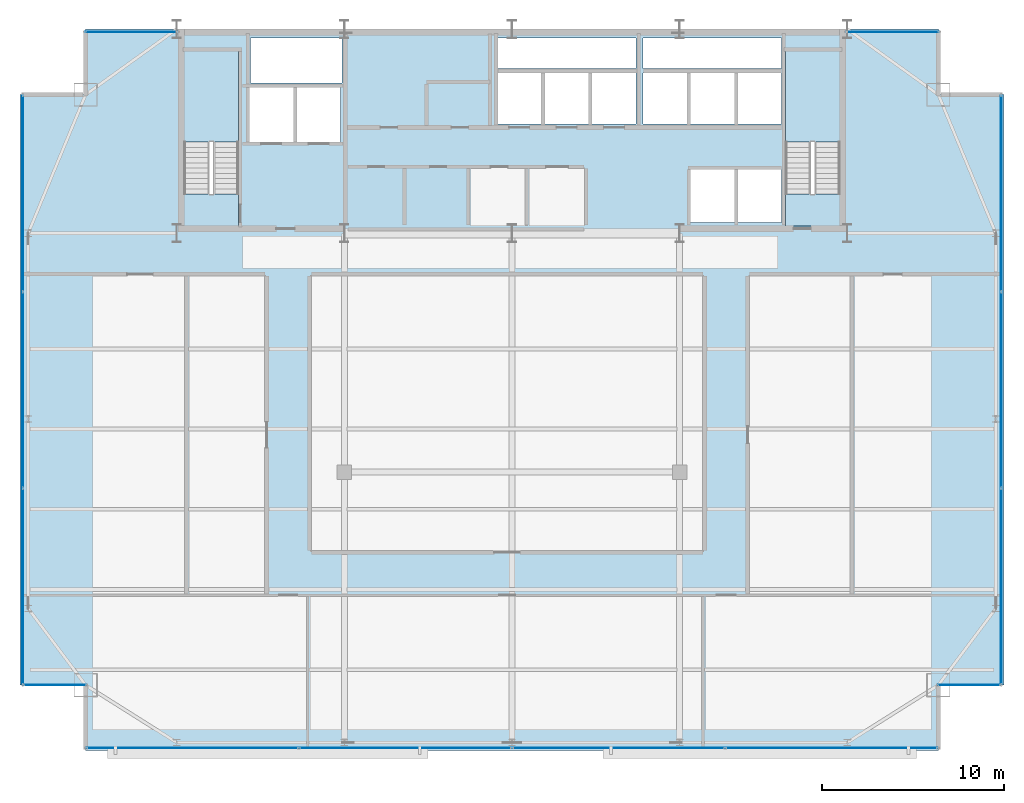
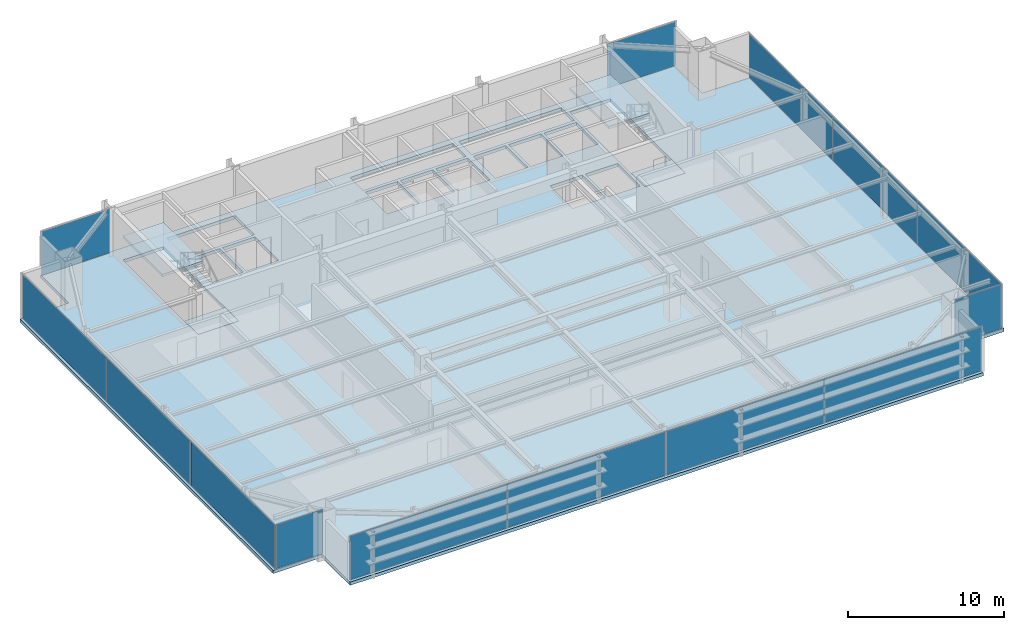
# One storey, part 22 of 29: 14 plates, 5 slabs, 9 elements without a shape of their own.
"""IFC4 building model written with IfcOpenShell, lengths in metres."""

from ifc_helpers import new_model, si_unit, direction, frame, origin, origin_2d, place, context, subcontext, project, spatial, polyline, rectangle, outline, extrude, source, transform, mapped, material, layer, layer_set, type_object, type_shapes, element, aggregate, save


model = new_model("IFC4")

# Units and contexts
model_context = context("Model", 3, precision=1e-05, world=origin(), true_north=direction((0.0, 1.0)))
body_context = subcontext(model_context, "Body", "Model", "MODEL_VIEW")
ifc_project = project(units=[si_unit("LENGTHUNIT", "METRE"), si_unit("AREAUNIT", "SQUARE_METRE"), si_unit("VOLUMEUNIT", "CUBIC_METRE"), si_unit("PLANEANGLEUNIT", "RADIAN"), si_unit("MASSUNIT", "GRAM", prefix="KILO")], contexts=[model_context])

# Site, building, storey
site_placement = place(None, origin())
site = spatial("IfcSite", under=ifc_project, at=site_placement, CompositionType="ELEMENT")
building_placement = place(site_placement, origin())
building = spatial("IfcBuilding", under=site, at=building_placement, Name="Varnel Quay Broadcast Tower", CompositionType="ELEMENT")
storey_placement = place(building_placement, frame((0.0, 0.0, 172.39990234375)))
storey = spatial("IfcBuildingStorey", under=building, at=storey_placement, Name="L42", CompositionType="ELEMENT", Elevation=172.39990234375)

# Slabs
ifc_material_1 = material(Name="Concrete CSA A23.3 C50/60", Category="concrete")
ifc_layer_1 = layer(ifc_material_1, 0.25, Name="Concrete CSA A23.3 C50/60")
ifc_layer_set_1 = layer_set([ifc_layer_1], Name="Concrete CSA A23.3 C50/60")
slab_type_1 = type_object("IfcSlabType", Name="Slab_Floor250", PredefinedType="FLOOR", material=ifc_layer_set_1)
slab_1_placement = place(storey_placement, frame((0.0, 0.0, -0.25)))
element("IfcSlab", 1, at=slab_1_placement, inside=storey, type_object=slab_type_1, Name="L42 Structural Slab", PredefinedType="FLOOR", context=body_context, shape_type="SweptSolid", body=[
    extrude(outline(polyline([(10.60009765625, 7.199951171875), (57.39990234375, 7.199951171875), (57.39990234375, 10.800048828125), (61.0, 10.800048828125), (61.0, 43.199951171875), (57.39990234375, 43.199951171875), (57.39990234375, 46.800048828125), (10.60009765625, 46.800048828125), (10.60009765625, 43.199951171875), (7.0, 43.199951171875), (7.0, 10.800048828125), (10.60009765625, 10.800048828125), (10.60009765625, 7.199951171875)]), holes=[polyline([(19.0, 36.0), (16.0, 36.0), (16.0, 45.60009765625), (19.0, 45.60009765625), (19.0, 36.0)]), polyline([(19.60009765625, 43.60009765625), (22.0, 43.60009765625), (22.0, 40.60009765625), (19.60009765625, 40.60009765625), (19.60009765625, 43.60009765625)]), polyline([(22.199951171875, 43.60009765625), (24.60009765625, 43.60009765625), (24.60009765625, 40.60009765625), (22.199951171875, 40.60009765625), (22.199951171875, 43.60009765625)]), polyline([(33.199951171875, 44.39990234375), (35.60009765625, 44.39990234375), (35.60009765625, 41.60009765625), (33.199951171875, 41.60009765625), (33.199951171875, 44.39990234375)]), polyline([(35.800048828125, 44.39990234375), (38.199951171875, 44.39990234375), (38.199951171875, 41.60009765625), (35.800048828125, 41.60009765625), (35.800048828125, 44.39990234375)]), polyline([(38.39990234375, 44.39990234375), (40.800048828125, 44.39990234375), (40.800048828125, 41.60009765625), (38.39990234375, 41.60009765625), (38.39990234375, 44.39990234375)]), polyline([(19.64990234375, 46.300048828125), (24.679931640625, 46.300048828125), (24.679931640625, 43.85009765625), (19.64990234375, 43.85009765625), (19.64990234375, 46.300048828125)]), polyline([(33.199951171875, 46.300048828125), (40.800048828125, 46.300048828125), (40.800048828125, 44.64990234375), (33.199951171875, 44.64990234375), (33.199951171875, 46.300048828125)]), polyline([(43.800048828125, 39.10009765625), (46.199951171875, 39.10009765625), (46.199951171875, 36.199951171875), (43.800048828125, 36.199951171875), (43.800048828125, 39.10009765625)]), polyline([(46.39990234375, 39.10009765625), (48.800048828125, 39.10009765625), (48.800048828125, 36.199951171875), (46.39990234375, 36.199951171875), (46.39990234375, 39.10009765625)]), polyline([(49.0, 36.0), (49.0, 45.60009765625), (52.0, 45.60009765625), (52.0, 36.0), (49.0, 36.0)]), polyline([(41.199951171875, 44.39990234375), (43.60009765625, 44.39990234375), (43.60009765625, 41.60009765625), (41.199951171875, 41.60009765625), (41.199951171875, 44.39990234375)]), polyline([(43.800048828125, 44.39990234375), (46.199951171875, 44.39990234375), (46.199951171875, 41.60009765625), (43.800048828125, 41.60009765625), (43.800048828125, 44.39990234375)]), polyline([(46.39990234375, 44.39990234375), (48.800048828125, 44.39990234375), (48.800048828125, 41.60009765625), (46.39990234375, 41.60009765625), (46.39990234375, 44.39990234375)]), polyline([(41.199951171875, 46.300048828125), (48.800048828125, 46.300048828125), (48.800048828125, 44.64990234375), (41.199951171875, 44.64990234375), (41.199951171875, 46.300048828125)])]), origin(), (0.0, 0.0, 1.0), 0.25),
])
ifc_layer_2 = layer(ifc_material_1, 0.25, Name="Concrete CSA A23.3 C50/60")
ifc_layer_set_2 = layer_set([ifc_layer_2], Name="Concrete CSA A23.3 C50/60")
slab_type_2 = type_object("IfcSlabType", Name="Slab_StairFloorLanding250", PredefinedType="FLOOR", material=ifc_layer_set_2)
slab_2_placement = place(storey_placement, frame((0.0, 0.0, -0.25)))
element("IfcSlab", 2, at=slab_2_placement, inside=storey, type_object=slab_type_2, Name="L42 ST-01 Structural Floor Landing Slab", PredefinedType="FLOOR", context=body_context, shape_type="SweptSolid", body=[
    extrude(outline(polyline([(19.0, 36.0), (19.0, 37.75), (16.0, 37.75), (16.0, 36.0), (19.0, 36.0)])), origin(), (0.0, 0.0, 1.0), 0.25),
])
slab_3_placement = place(storey_placement, frame((0.0, 0.0, -0.25)))
element("IfcSlab", 3, at=slab_3_placement, inside=storey, type_object=slab_type_2, Name="L42 ST-02 Structural Floor Landing Slab", PredefinedType="FLOOR", context=body_context, shape_type="SweptSolid", body=[
    extrude(outline(polyline([(52.0, 36.0), (52.0, 37.75), (49.0, 37.75), (49.0, 36.0), (52.0, 36.0)])), origin(), (0.0, 0.0, 1.0), 0.25),
])

# Stair, slab
ifc_material_2 = material(Name="Precast Structural Concrete C40/50", Category="concrete")
stair_type_1 = type_object("IfcStairType", Name="Stair_ST-01", PredefinedType="HALF_TURN_STAIR", material=ifc_material_2)
stair_1_placement = place(storey_placement, origin())
stair_1 = element("IfcStair", 4, at=stair_1_placement, inside=storey, type_object=stair_type_1, Name="L42 West Core Exit Stair 1", PredefinedType="HALF_TURN_STAIR")
ifc_layer_3 = layer(ifc_material_2, 0.199951171875, Name="Precast Structural Concrete C40/50")
ifc_layer_set_3 = layer_set([ifc_layer_3], Name="Precast Structural Concrete C40/50")
slab_type_3 = type_object("IfcSlabType", Name="Slab_StairLanding200", PredefinedType="LANDING", material=ifc_layer_set_3)
slab_4_placement = place(storey_placement, frame((0.0, 0.0, 1.7001953125)))
slab_4 = element("IfcSlab", 5, at=slab_4_placement, type_object=slab_type_3, Name="ST-01 landing 1", PredefinedType="LANDING", context=body_context, shape_type="SweptSolid", body=[
    extrude(outline(polyline([(19.0, 40.60009765625), (19.0, 45.60009765625), (16.0, 45.60009765625), (16.0, 40.60009765625), (19.0, 40.60009765625)])), origin(), (0.0, 0.0, 1.0), 0.199951171875),
])
aggregate(stair_1, [slab_4])

stair_type_2 = type_object("IfcStairType", Name="Stair_ST-02", PredefinedType="HALF_TURN_STAIR", material=ifc_material_2)
stair_2_placement = place(storey_placement, origin())
stair_2 = element("IfcStair", 6, at=stair_2_placement, inside=storey, type_object=stair_type_2, Name="L42 East Core Exit Stair 2", PredefinedType="HALF_TURN_STAIR")
slab_5_placement = place(storey_placement, frame((0.0, 0.0, 1.7001953125)))
slab_5 = element("IfcSlab", 7, at=slab_5_placement, type_object=slab_type_3, Name="ST-02 landing 1", PredefinedType="LANDING", context=body_context, shape_type="SweptSolid", body=[
    extrude(outline(polyline([(52.0, 40.60009765625), (52.0, 45.60009765625), (49.0, 45.60009765625), (49.0, 40.60009765625), (52.0, 40.60009765625)])), origin(), (0.0, 0.0, 1.0), 0.199951171875),
])
aggregate(stair_2, [slab_5])

# Curtain wall, plate
ifc_material_3 = material(Name="Anodised Bronze Aluminium 6063-T6", Category="aluminium")
ifc_layer_4 = layer(ifc_material_3, 0.18994140625, Name="Anodised Bronze Aluminium 6063-T6")
ifc_layer_set_4 = layer_set([ifc_layer_4], Name="Anodised Bronze Aluminium 6063-T6")
curtain_wall_type_1 = type_object("IfcCurtainWallType", Name="CW_NotchCorner", PredefinedType="NOTDEFINED", material=ifc_layer_set_4)
curtain_wall_1_placement = place(storey_placement, origin())
curtain_wall_1 = element("IfcCurtainWall", 8, at=curtain_wall_1_placement, inside=storey, type_object=curtain_wall_type_1, Name="L42 SW Notch Curtain Wall", PredefinedType="NOTDEFINED")
ifc_material_4 = material(Name="Triple-Glazed Bronze Low-E Architectural Glass", Category="glass")
ifc_layer_5 = layer(ifc_material_4, 0.028076171875, Name="Triple-Glazed Bronze Low-E Architectural Glass")
ifc_layer_set_5 = layer_set([ifc_layer_5], Name="Triple-Glazed Bronze Low-E Architectural Glass")
plate_type_1 = type_object("IfcPlateType", Name="Panel_CWS-04", PredefinedType="CURTAIN_PANEL", material=ifc_layer_set_5)
shared_shape_1 = source(origin(), body_context, "Body", "SweptSolid", [
    extrude(rectangle(XDim=3.409912109375, YDim=0.028076171875, at=origin_2d()), origin(), (0.0, 0.0, 1.0), 3.43994140625),
])
type_shapes(plate_type_1, [shared_shape_1])
plate_1_placement = place(storey_placement, frame((8.9150390625, 10.800048828125, 0.05517578125), z_axis=(0.0, 0.0, 1.0), x_axis=(1.0, 0.0, 0.0)))
plate_1 = element("IfcPlate", 9, at=plate_1_placement, type_object=plate_type_1, Name="CWS-04 panel 1.1", PredefinedType="CURTAIN_PANEL", context=body_context, shape_type="MappedRepresentation", body=[
    mapped(shared_shape_1, transform((0.0, 0.0, 0.0), x_axis=(1.0, 0.0, 0.0), y_axis=(0.0, 1.0, 0.0), z_axis=(0.0, 0.0, 1.0), scale=1.0)),
])
aggregate(curtain_wall_1, [plate_1])

curtain_wall_2_placement = place(storey_placement, origin())
curtain_wall_2 = element("IfcCurtainWall", 10, at=curtain_wall_2_placement, inside=storey, type_object=curtain_wall_type_1, Name="L42 SE Notch Curtain Wall", PredefinedType="NOTDEFINED")
plate_2_placement = place(storey_placement, frame((59.0849609375, 10.800048828125, 0.05517578125), z_axis=(0.0, 0.0, 1.0), x_axis=(1.0, 0.0, 0.0)))
plate_2 = element("IfcPlate", 11, at=plate_2_placement, type_object=plate_type_1, Name="CWS-04 panel 1.1", PredefinedType="CURTAIN_PANEL", context=body_context, shape_type="MappedRepresentation", body=[
    mapped(shared_shape_1, transform((0.0, 0.0, 0.0), x_axis=(1.0, 0.0, 0.0), y_axis=(0.0, 1.0, 0.0), z_axis=(0.0, 0.0, 1.0), scale=1.0)),
])
aggregate(curtain_wall_2, [plate_2])

# Curtain wall, plates
ifc_layer_6 = layer(ifc_material_3, 0.18994140625, Name="Anodised Bronze Aluminium 6063-T6")
ifc_layer_set_6 = layer_set([ifc_layer_6], Name="Anodised Bronze Aluminium 6063-T6")
curtain_wall_type_2 = type_object("IfcCurtainWallType", Name="CW_UpperTower", PredefinedType="NOTDEFINED", material=ifc_layer_set_6)
curtain_wall_3_placement = place(storey_placement, origin())
curtain_wall_3 = element("IfcCurtainWall", 12, at=curtain_wall_3_placement, inside=storey, type_object=curtain_wall_type_2, Name="L42 West Unitised Curtain Wall", PredefinedType="NOTDEFINED")
ifc_material_5 = material(Name="Insulated Bronze Spandrel Glass", Category="glass")
ifc_layer_7 = layer(ifc_material_5, 0.030029296875, Name="Insulated Bronze Spandrel Glass")
ifc_layer_set_7 = layer_set([ifc_layer_7], Name="Insulated Bronze Spandrel Glass")
plate_type_2 = type_object("IfcPlateType", Name="PanelSp_CWS-03", PredefinedType="CURTAIN_PANEL", material=ifc_layer_set_7)
shared_shape_2 = source(origin(), body_context, "Body", "SweptSolid", [
    extrude(rectangle(XDim=10.702392578125, YDim=0.030029296875, at=origin_2d()), origin(), (0.0, 0.0, 1.0), 3.429931640625),
])
plate_3_placement = place(storey_placement, frame((7.14990234375, 16.21630859375, 0.06005859375), z_axis=(0.0, 0.0, 1.0), x_axis=(0.0, 1.0, 0.0)))
plate_3 = element("IfcPlate", 13, at=plate_3_placement, type_object=plate_type_2, Name="CWS-03 panel 1.1", PredefinedType="CURTAIN_PANEL", context=body_context, shape_type="MappedRepresentation", body=[
    mapped(shared_shape_2, transform((0.0, 0.0, 0.0), x_axis=(1.0, 0.0, 0.0), y_axis=(0.0, 1.0, 0.0), z_axis=(0.0, 0.0, 1.0), scale=1.0)),
])
plate_4_placement = place(storey_placement, frame((7.14990234375, 37.78369140625, 0.06005859375), z_axis=(0.0, 0.0, 1.0), x_axis=(0.0, 1.0, 0.0)))
plate_4 = element("IfcPlate", 14, at=plate_4_placement, type_object=plate_type_2, Name="CWS-03 panel 3.1", PredefinedType="CURTAIN_PANEL", context=body_context, shape_type="MappedRepresentation", body=[
    mapped(shared_shape_2, transform((0.0, 0.0, 0.0), x_axis=(1.0, 0.0, 0.0), y_axis=(0.0, 1.0, 0.0), z_axis=(0.0, 0.0, 1.0), scale=1.0)),
])

curtain_wall_4_placement = place(storey_placement, origin())
curtain_wall_4 = element("IfcCurtainWall", 15, at=curtain_wall_4_placement, inside=storey, type_object=curtain_wall_type_2, Name="L42 East Unitised Curtain Wall", PredefinedType="NOTDEFINED")
plate_5_placement = place(storey_placement, frame((60.85009765625, 16.21630859375, 0.06005859375), z_axis=(0.0, 0.0, 1.0), x_axis=(0.0, 1.0, 0.0)))
plate_5 = element("IfcPlate", 16, at=plate_5_placement, type_object=plate_type_2, Name="CWS-03 panel 1.1", PredefinedType="CURTAIN_PANEL", context=body_context, shape_type="MappedRepresentation", body=[
    mapped(shared_shape_2, transform((0.0, 0.0, 0.0), x_axis=(1.0, 0.0, 0.0), y_axis=(0.0, 1.0, 0.0), z_axis=(0.0, 0.0, 1.0), scale=1.0)),
])
plate_6_placement = place(storey_placement, frame((60.85009765625, 37.78369140625, 0.06005859375), z_axis=(0.0, 0.0, 1.0), x_axis=(0.0, 1.0, 0.0)))
plate_6 = element("IfcPlate", 17, at=plate_6_placement, type_object=plate_type_2, Name="CWS-03 panel 3.1", PredefinedType="CURTAIN_PANEL", context=body_context, shape_type="MappedRepresentation", body=[
    mapped(shared_shape_2, transform((0.0, 0.0, 0.0), x_axis=(1.0, 0.0, 0.0), y_axis=(0.0, 1.0, 0.0), z_axis=(0.0, 0.0, 1.0), scale=1.0)),
])

# Plate
shared_shape_3 = source(origin(), body_context, "Body", "SweptSolid", [
    extrude(rectangle(XDim=10.735107421875, YDim=0.030029296875, at=origin_2d()), origin(), (0.0, 0.0, 1.0), 3.429931640625),
])
plate_7_placement = place(storey_placement, frame((7.14990234375, 27.0, 0.06005859375), z_axis=(0.0, 0.0, 1.0), x_axis=(0.0, 1.0, 0.0)))
plate_7 = element("IfcPlate", 18, at=plate_7_placement, type_object=plate_type_2, Name="CWS-03 panel 2.1", PredefinedType="CURTAIN_PANEL", context=body_context, shape_type="MappedRepresentation", body=[
    mapped(shared_shape_3, transform((0.0, 0.0, 0.0), x_axis=(1.0, 0.0, 0.0), y_axis=(0.0, 1.0, 0.0), z_axis=(0.0, 0.0, 1.0), scale=1.0)),
])

aggregate(curtain_wall_3, [plate_3, plate_7, plate_4])

plate_8_placement = place(storey_placement, frame((60.85009765625, 27.0, 0.06005859375), z_axis=(0.0, 0.0, 1.0), x_axis=(0.0, 1.0, 0.0)))
plate_8 = element("IfcPlate", 19, at=plate_8_placement, type_object=plate_type_2, Name="CWS-03 panel 2.1", PredefinedType="CURTAIN_PANEL", context=body_context, shape_type="MappedRepresentation", body=[
    mapped(shared_shape_3, transform((0.0, 0.0, 0.0), x_axis=(1.0, 0.0, 0.0), y_axis=(0.0, 1.0, 0.0), z_axis=(0.0, 0.0, 1.0), scale=1.0)),
])

aggregate(curtain_wall_4, [plate_5, plate_8, plate_6])

# Curtain wall, plate
curtain_wall_5_placement = place(storey_placement, origin())
curtain_wall_5 = element("IfcCurtainWall", 20, at=curtain_wall_5_placement, inside=storey, type_object=curtain_wall_type_2, Name="L42 NW Wing Curtain Wall", PredefinedType="NOTDEFINED")
ifc_layer_8 = layer(ifc_material_4, 0.030029296875, Name="Triple-Glazed Bronze Low-E Architectural Glass")
ifc_layer_set_8 = layer_set([ifc_layer_8], Name="Triple-Glazed Bronze Low-E Architectural Glass")
plate_type_3 = type_object("IfcPlateType", Name="Panel_CWS-03", PredefinedType="CURTAIN_PANEL", material=ifc_layer_set_8)
shared_shape_4 = source(origin(), body_context, "Body", "SweptSolid", [
    extrude(rectangle(XDim=5.050048828125, YDim=0.030029296875, at=origin_2d()), origin(), (0.0, 0.0, 1.0), 3.429931640625),
])
plate_9_placement = place(storey_placement, frame((13.110107421875, 46.64990234375, 0.06005859375), z_axis=(0.0, 0.0, 1.0), x_axis=(1.0, 0.0, 0.0)))
plate_9 = element("IfcPlate", 21, at=plate_9_placement, type_object=plate_type_3, Name="CWS-03 panel 1.1", PredefinedType="CURTAIN_PANEL", context=body_context, shape_type="MappedRepresentation", body=[
    mapped(shared_shape_4, transform((0.0, 0.0, 0.0), x_axis=(1.0, 0.0, 0.0), y_axis=(0.0, 1.0, 0.0), z_axis=(0.0, 0.0, 1.0), scale=1.0)),
])
aggregate(curtain_wall_5, [plate_9])

curtain_wall_6_placement = place(storey_placement, origin())
curtain_wall_6 = element("IfcCurtainWall", 22, at=curtain_wall_6_placement, inside=storey, type_object=curtain_wall_type_2, Name="L42 NE Wing Curtain Wall", PredefinedType="NOTDEFINED")
plate_10_placement = place(storey_placement, frame((54.889892578125, 46.64990234375, 0.06005859375), z_axis=(0.0, 0.0, 1.0), x_axis=(1.0, 0.0, 0.0)))
plate_10 = element("IfcPlate", 23, at=plate_10_placement, type_object=plate_type_3, Name="CWS-03 panel 1.1", PredefinedType="CURTAIN_PANEL", context=body_context, shape_type="MappedRepresentation", body=[
    mapped(shared_shape_4, transform((0.0, 0.0, 0.0), x_axis=(1.0, 0.0, 0.0), y_axis=(0.0, 1.0, 0.0), z_axis=(0.0, 0.0, 1.0), scale=1.0)),
])
aggregate(curtain_wall_6, [plate_10])

# Curtain wall, plates
curtain_wall_7_placement = place(storey_placement, origin())
curtain_wall_7 = element("IfcCurtainWall", 24, at=curtain_wall_7_placement, inside=storey, type_object=curtain_wall_type_2, Name="L42 South Unitised Curtain Wall 1", PredefinedType="NOTDEFINED")
shared_shape_5 = source(origin(), body_context, "Body", "SweptSolid", [
    extrude(rectangle(XDim=11.6025390625, YDim=0.030029296875, at=origin_2d()), origin(), (0.0, 0.0, 1.0), 3.429931640625),
])
type_shapes(plate_type_3, [shared_shape_4, shared_shape_5])
plate_11_placement = place(storey_placement, frame((16.46630859375, 7.35009765625, 0.06005859375), z_axis=(0.0, 0.0, 1.0), x_axis=(1.0, 0.0, 0.0)))
plate_11 = element("IfcPlate", 25, at=plate_11_placement, type_object=plate_type_3, Name="CWS-03 panel 1.1", PredefinedType="CURTAIN_PANEL", context=body_context, shape_type="MappedRepresentation", body=[
    mapped(shared_shape_5, transform((0.0, 0.0, 0.0), x_axis=(1.0, 0.0, 0.0), y_axis=(0.0, 1.0, 0.0), z_axis=(0.0, 0.0, 1.0), scale=1.0)),
])
plate_12_placement = place(storey_placement, frame((51.53369140625, 7.35009765625, 0.06005859375), z_axis=(0.0, 0.0, 1.0), x_axis=(1.0, 0.0, 0.0)))
plate_12 = element("IfcPlate", 26, at=plate_12_placement, type_object=plate_type_3, Name="CWS-03 panel 4.1", PredefinedType="CURTAIN_PANEL", context=body_context, shape_type="MappedRepresentation", body=[
    mapped(shared_shape_5, transform((0.0, 0.0, 0.0), x_axis=(1.0, 0.0, 0.0), y_axis=(0.0, 1.0, 0.0), z_axis=(0.0, 0.0, 1.0), scale=1.0)),
])
shared_shape_6 = source(origin(), body_context, "Body", "SweptSolid", [
    extrude(rectangle(XDim=11.635009765625, YDim=0.030029296875, at=origin_2d()), origin(), (0.0, 0.0, 1.0), 3.429931640625),
])
type_shapes(plate_type_2, [shared_shape_2, shared_shape_3, shared_shape_6])
plate_13_placement = place(storey_placement, frame((28.14990234375, 7.35009765625, 0.06005859375), z_axis=(0.0, 0.0, 1.0), x_axis=(1.0, 0.0, 0.0)))
plate_13 = element("IfcPlate", 27, at=plate_13_placement, type_object=plate_type_2, Name="CWS-03 panel 2.1", PredefinedType="CURTAIN_PANEL", context=body_context, shape_type="MappedRepresentation", body=[
    mapped(shared_shape_6, transform((0.0, 0.0, 0.0), x_axis=(1.0, 0.0, 0.0), y_axis=(0.0, 1.0, 0.0), z_axis=(0.0, 0.0, 1.0), scale=1.0)),
])
plate_14_placement = place(storey_placement, frame((39.85009765625, 7.35009765625, 0.06005859375), z_axis=(0.0, 0.0, 1.0), x_axis=(1.0, 0.0, 0.0)))
plate_14 = element("IfcPlate", 28, at=plate_14_placement, type_object=plate_type_2, Name="CWS-03 panel 3.1", PredefinedType="CURTAIN_PANEL", context=body_context, shape_type="MappedRepresentation", body=[
    mapped(shared_shape_6, transform((0.0, 0.0, 0.0), x_axis=(1.0, 0.0, 0.0), y_axis=(0.0, 1.0, 0.0), z_axis=(0.0, 0.0, 1.0), scale=1.0)),
])
aggregate(curtain_wall_7, [plate_11, plate_13, plate_14, plate_12])

save(model, "model.ifc")
